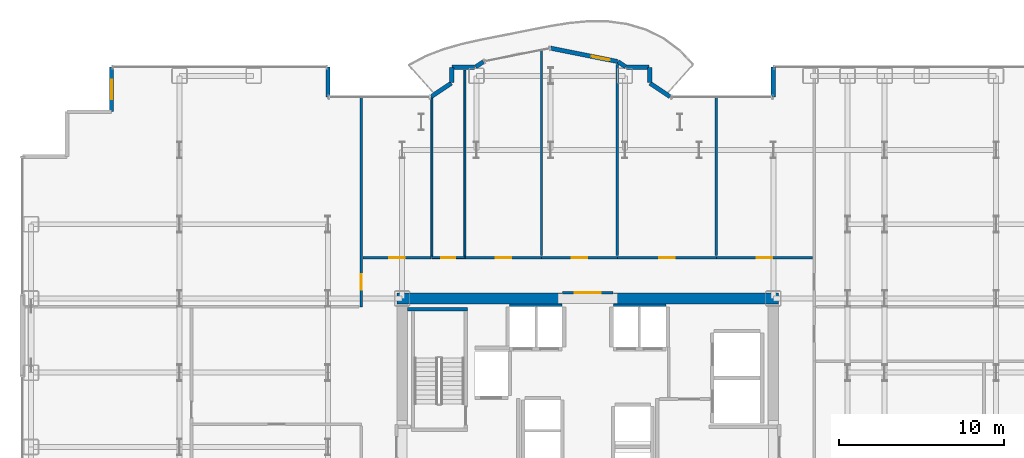
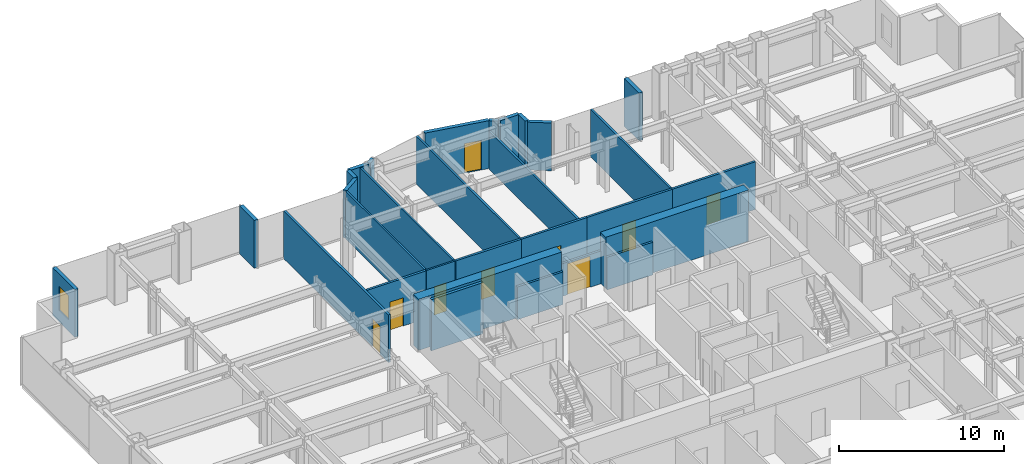
# One storey, part 26 of 29: 30 walls, 9 doors, 1 window, 10 openings.
"""IFC4 building model written with IfcOpenShell, lengths in metres."""

from ifc_helpers import new_model, si_unit, direction, frame, frame_2d, origin, place, context, subcontext, project, spatial, rectangle, extrude, source, transform, mapped, material, layer, layer_set, type_object, element, fill, save


model = new_model("IFC4")

# Units and contexts
model_context = context("Model", 3, precision=1e-05, world=origin(), true_north=direction((0.0, 1.0)))
body_context = subcontext(model_context, "Body", "Model", "MODEL_VIEW")
ifc_project = project(units=[si_unit("LENGTHUNIT", "METRE"), si_unit("AREAUNIT", "SQUARE_METRE"), si_unit("VOLUMEUNIT", "CUBIC_METRE"), si_unit("PLANEANGLEUNIT", "RADIAN"), si_unit("MASSUNIT", "GRAM", prefix="KILO")], contexts=[model_context])

# Site, building, storey
site_placement = place(None, origin())
site = spatial("IfcSite", under=ifc_project, at=site_placement, CompositionType="ELEMENT")
building_placement = place(site_placement, origin())
building = spatial("IfcBuilding", under=site, at=building_placement, Name="Nefas-Gora Pilgrimage Tower", CompositionType="ELEMENT")
storey_placement = place(building_placement, frame((0.0, 0.0, 55.800048828125)))
storey = spatial("IfcBuildingStorey", under=building, at=storey_placement, Name="L12", CompositionType="ELEMENT", Elevation=55.800048828125)

# Walls
ifc_material_1 = material(Name="Concrete C60/75", Category="concrete")
ifc_layer_1 = layer(ifc_material_1, 0.64990234375)
ifc_layer_set_1 = layer_set([ifc_layer_1], Name="Concrete C60/75")
wall_type_1 = type_object("IfcWallType", Name="SW-CORE-650", PredefinedType="SHEAR", material=ifc_layer_set_1)
shared_shape_1 = source(origin(), body_context, "Body", "SweptSolid", [
    extrude(rectangle(XDim=10.02490234375, YDim=0.64990234375, at=frame_2d((5.012451171875, 0.0))), origin(), (0.0, 0.0, 1.0), 3.800048828125),
])
for number, where, z_axis, x_axis, name in (
    (1, (-11.574951171875, 9.0, 0.0), (0.0, 0.0, 1.0), (1.0, 0.0, 0.0), "L12 Core Shear Wall N-West"),
    (2, (1.550048828125, 9.0, 0.0), (0.0, 0.0, 1.0), (1.0, 0.0, 0.0), "L12 Core Shear Wall N-East"),
):
    element("IfcWall", number, at=place(storey_placement, frame(where, z_axis=z_axis, x_axis=x_axis)), inside=storey, type_object=wall_type_1, Name=name, PredefinedType="SHEAR", context=body_context, shape_type="MappedRepresentation", body=[
        mapped(shared_shape_1, transform((0.0, 0.0, 0.0), x_axis=(1.0, 0.0, 0.0), y_axis=(0.0, 1.0, 0.0), z_axis=(0.0, 0.0, 1.0), scale=1.0)),
    ])
ifc_material_2 = material(Name="Precast concrete C40/50", Category="concrete")
ifc_layer_2 = layer(ifc_material_2, 0.260009765625)
ifc_layer_set_2 = layer_set([ifc_layer_2], Name="Precast concrete C40/50")
wall_type_2 = type_object("IfcWallType", Name="EW-PORTAL-260", PredefinedType="SOLIDWALL", material=ifc_layer_set_2)
shared_shape_2 = source(origin(), body_context, "Body", "SweptSolid", [
    extrude(rectangle(XDim=1.800048828125, YDim=0.260009765625, at=frame_2d((0.89990234375, 0.0))), origin(), (0.0, 0.0, 1.0), 3.550048828125),
])
for number, where, z_axis, x_axis, name in (
    (3, (11.25, 23.02001953125, 0.0), (0.0, 0.0, 1.0), (0.0, -1.0, 0.0), "L12 Lobe Shoulder Precast Spandrel Pier 14"),
    (4, (-15.75, 21.219970703125, 0.0), (0.0, 0.0, 1.0), (0.0, 1.0, 0.0), "L12 Lobe Shoulder Precast Spandrel Pier 24"),
):
    element("IfcWall", number, at=place(storey_placement, frame(where, z_axis=z_axis, x_axis=x_axis)), inside=storey, type_object=wall_type_2, Name=name, PredefinedType="SOLIDWALL", context=body_context, shape_type="MappedRepresentation", body=[
        mapped(shared_shape_2, transform((0.0, 0.0, 0.0), x_axis=(1.0, 0.0, 0.0), y_axis=(0.0, 1.0, 0.0), z_axis=(0.0, 0.0, 1.0), scale=1.0)),
    ])

# Wall, opening, window
ifc_material_3 = material(Name="Precast concrete C45/55", Category="concrete")
ifc_layer_3 = layer(ifc_material_3, 0.239990234375)
ifc_layer_set_3 = layer_set([ifc_layer_3], Name="Precast concrete C45/55")
wall_type_3 = type_object("IfcWallType", Name="EW-SERR-240", PredefinedType="SHEAR", material=ifc_layer_set_3)
shared_shape_3 = source(origin(), body_context, "Body", "SweptSolid", [
    extrude(rectangle(XDim=2.699951171875, YDim=0.239990234375, at=frame_2d((1.35009765625, 0.0))), origin(), (0.0, 0.0, 1.0), 3.550048828125),
])
wall_1_placement = place(storey_placement, frame((-28.8701171875, 23.02001953125, 0.0), z_axis=(0.0, 0.0, 1.0), x_axis=(0.0, -1.0, 0.0)))
wall_1 = element("IfcWall", 5, at=wall_1_placement, inside=storey, type_object=wall_type_3, Name="L12 Serrated Corner Shear Pier Wall 25", PredefinedType="SHEAR", context=body_context, shape_type="MappedRepresentation", body=[
    mapped(shared_shape_3, transform((0.0, 0.0, 0.0), x_axis=(1.0, 0.0, 0.0), y_axis=(0.0, 1.0, 0.0), z_axis=(0.0, 0.0, 1.0), scale=1.0)),
])
opening_1_placement = place(wall_1_placement, frame((0.75, 0.0, 0.85009765625)))
opening_1 = element("IfcOpeningElement", 6, at=opening_1_placement, cuts=wall_1, Name="Opening W-V1", PredefinedType="OPENING", context=body_context, shape_type="SweptSolid", body=[
    extrude(rectangle(XDim=1.199951171875, YDim=1.800048828125, at=frame_2d((0.60009765625, 0.89990234375))), frame((0.0, 0.1298828125, 0.0), z_axis=(0.0, -1.0, 0.0), x_axis=(1.0, 0.0, 0.0)), (0.0, 0.0, 1.0), 0.260009765625),
])
ifc_material_4 = material(Name="Dark ceramic-fritted operable aluminium-glass window", Category="aluminium")
window_type = type_object("IfcWindowType", Name="WIN-VENT-1200x1800", PartitioningType="SINGLE_PANEL", PredefinedType="WINDOW", material=ifc_material_4)
shared_shape_4 = source(origin(), body_context, "Body", "SweptSolid", [
    extrude(rectangle(XDim=1.199951171875, YDim=1.800048828125, at=frame_2d((0.60009765625, 0.89990234375))), frame((0.0, 0.030029296875, 0.0), z_axis=(0.0, -1.0, 0.0), x_axis=(1.0, 0.0, 0.0)), (0.0, 0.0, 1.0), 0.06005859375),
])
window_placement = place(opening_1_placement, origin())
window = element("IfcWindow", 7, at=window_placement, inside=storey, type_object=window_type, Name="L12 Operable Parallel-Outswing Window 25", OverallHeight=1.800048828125, OverallWidth=1.199951171875, PartitioningType="SINGLE_PANEL", PredefinedType="WINDOW", context=body_context, shape_type="MappedRepresentation", body=[
    mapped(shared_shape_4, transform((0.0, 0.0, 0.0), x_axis=(1.0, 0.0, 0.0), y_axis=(0.0, 1.0, 0.0), z_axis=(0.0, 0.0, 1.0), scale=1.0)),
])
fill(opening_1, window)

# Walls
shared_shape_5 = source(origin(), body_context, "Body", "SweptSolid", [
    extrude(rectangle(XDim=1.468994140625, YDim=0.260009765625, at=frame_2d((0.734375, 0.0))), origin(), (0.0, 0.0, 1.0), 3.550048828125),
])
for number, where, z_axis, x_axis, name in (
    (8, (4.99462890625, 21.235595703125, 0.0), (0.0, 0.0, 1.0), (-0.831461760506, 0.555581983884, 0.0), "L12 Lobe Shoulder Precast Spandrel Pier 15"),
    (9, (-8.273193359375, 22.0517578125, 0.0), (0.0, 0.0, 1.0), (-0.831461760506, -0.555581983884, 0.0), "L12 Lobe Shoulder Precast Spandrel Pier 23"),
):
    element("IfcWall", number, at=place(storey_placement, frame(where, z_axis=z_axis, x_axis=x_axis)), inside=storey, type_object=wall_type_2, Name=name, PredefinedType="SOLIDWALL", context=body_context, shape_type="MappedRepresentation", body=[
        mapped(shared_shape_5, transform((0.0, 0.0, 0.0), x_axis=(1.0, 0.0, 0.0), y_axis=(0.0, 1.0, 0.0), z_axis=(0.0, 0.0, 1.0), scale=1.0)),
    ])
shared_shape_6 = source(origin(), body_context, "Body", "SweptSolid", [
    extrude(rectangle(XDim=0.896728515625, YDim=0.260009765625, at=frame_2d((0.4482421875, 0.0))), origin(), (0.0, 0.0, 1.0), 3.550048828125),
])
for number, where, z_axis, x_axis, name in (
    (10, (3.75, 22.09521484375, 0.0), (0.0, 0.0, 1.0), (0.0, 1.0, 0.0), "L12 Lobe Shoulder Precast Spandrel Pier 16"),
    (11, (-8.25, 22.991943359375, 0.0), (0.0, 0.0, 1.0), (0.0, -1.0, 0.0), "L12 Lobe Shoulder Precast Spandrel Pier 22"),
):
    element("IfcWall", number, at=place(storey_placement, frame(where, z_axis=z_axis, x_axis=x_axis)), inside=storey, type_object=wall_type_2, Name=name, PredefinedType="SOLIDWALL", context=body_context, shape_type="MappedRepresentation", body=[
        mapped(shared_shape_6, transform((0.0, 0.0, 0.0), x_axis=(1.0, 0.0, 0.0), y_axis=(0.0, 1.0, 0.0), z_axis=(0.0, 0.0, 1.0), scale=1.0)),
    ])
shared_shape_7 = source(origin(), body_context, "Body", "SweptSolid", [
    extrude(rectangle(XDim=1.369873046875, YDim=0.260009765625, at=frame_2d((0.68505859375, 0.0))), origin(), (0.0, 0.0, 1.0), 3.550048828125),
])
for number, where, z_axis, x_axis, name in (
    (12, (3.721923828125, 23.02001953125, 0.0), (0.0, 0.0, 1.0), (-1.0, 0.0, 0.0), "L12 Lobe Shoulder Precast Spandrel Pier 17"),
    (13, (-6.85205078125, 23.02001953125, 0.0), (0.0, 0.0, 1.0), (-1.0, 0.0, 0.0), "L12 Lobe Shoulder Precast Spandrel Pier 21"),
):
    element("IfcWall", number, at=place(storey_placement, frame(where, z_axis=z_axis, x_axis=x_axis)), inside=storey, type_object=wall_type_2, Name=name, PredefinedType="SOLIDWALL", context=body_context, shape_type="MappedRepresentation", body=[
        mapped(shared_shape_7, transform((0.0, 0.0, 0.0), x_axis=(1.0, 0.0, 0.0), y_axis=(0.0, 1.0, 0.0), z_axis=(0.0, 0.0, 1.0), scale=1.0)),
    ])
shared_shape_8 = source(origin(), body_context, "Body", "SweptSolid", [
    extrude(rectangle(XDim=0.5654296875, YDim=0.260009765625, at=frame_2d((0.28271484375, 0.0))), origin(), (0.0, 0.0, 1.0), 3.550048828125),
])
for number, where, z_axis, x_axis, name in (
    (14, (2.30078125, 23.03564453125, 0.0), (0.0, 0.0, 1.0), (-0.831651492666, 0.555297933317, 0.0), "L12 Lobe Shoulder Precast Spandrel Pier 18"),
    (15, (-6.33056640625, 23.349609375, 0.0), (0.0, 0.0, 1.0), (-0.831651492666, -0.555297933317, 0.0), "L12 Lobe Shoulder Precast Spandrel Pier 20"),
):
    element("IfcWall", number, at=place(storey_placement, frame(where, z_axis=z_axis, x_axis=x_axis)), inside=storey, type_object=wall_type_2, Name=name, PredefinedType="SOLIDWALL", context=body_context, shape_type="MappedRepresentation", body=[
        mapped(shared_shape_8, transform((0.0, 0.0, 0.0), x_axis=(1.0, 0.0, 0.0), y_axis=(0.0, 1.0, 0.0), z_axis=(0.0, 0.0, 1.0), scale=1.0)),
    ])

# Wall, opening, door
shared_shape_9 = source(origin(), body_context, "Body", "SweptSolid", [
    extrude(rectangle(XDim=4.136962890625, YDim=0.260009765625, at=frame_2d((2.068359375, 0.0))), origin(), (0.0, 0.0, 1.0), 3.550048828125),
])
wall_2_placement = place(storey_placement, frame((1.807373046875, 23.365234375, 0.0), z_axis=(0.0, 0.0, 1.0), x_axis=(-0.980782170794, 0.195105954428, 0.0)))
wall_2 = element("IfcWall", 16, at=wall_2_placement, inside=storey, type_object=wall_type_2, Name="L12 Insulated Terrace Portal Wall 19", PredefinedType="SOLIDWALL", context=body_context, shape_type="MappedRepresentation", body=[
    mapped(shared_shape_9, transform((0.0, 0.0, 0.0), x_axis=(1.0, 0.0, 0.0), y_axis=(0.0, 1.0, 0.0), z_axis=(0.0, 0.0, 1.0), scale=1.0)),
])
opening_2_placement = place(wall_2_placement, frame((0.48779296875, 0.0, 0.0)))
opening_2 = element("IfcOpeningElement", 17, at=opening_2_placement, cuts=wall_2, Name="Opening ED-B1", PredefinedType="OPENING", context=body_context, shape_type="SweptSolid", body=[
    extrude(rectangle(XDim=1.10009765625, YDim=2.199951171875, at=frame_2d((0.550048828125, 1.10009765625))), frame((0.0, 0.139892578125, 0.0), z_axis=(0.0, -1.0, 0.0), x_axis=(1.0, 0.0, 0.0)), (0.0, 0.0, 1.0), 0.280029296875),
])
ifc_material_5 = material(Name="Thermally broken glazed aluminium balcony door", Category="aluminium")
door_type_1 = type_object("IfcDoorType", Name="DR-EXT-BAL-1100", OperationType="NOTDEFINED", PredefinedType="DOOR", material=ifc_material_5)
shared_shape_10 = source(origin(), body_context, "Body", "SweptSolid", [
    extrude(rectangle(XDim=1.10009765625, YDim=2.199951171875, at=frame_2d((0.550048828125, 1.10009765625))), frame((0.0, 0.02490234375, 0.0), z_axis=(0.0, -1.0, 0.0), x_axis=(1.0, 0.0, 0.0)), (0.0, 0.0, 1.0), 0.050048828125),
])
door_1_placement = place(opening_2_placement, origin())
door_1 = element("IfcDoor", 18, at=door_1_placement, inside=storey, type_object=door_type_1, Name="L12 Exterior Door (L12 N Lobe Wave Balcony)", OperationType="SINGLE_SWING_RIGHT", OverallHeight=2.199951171875, OverallWidth=1.10009765625, PredefinedType="DOOR", context=body_context, shape_type="MappedRepresentation", body=[
    mapped(shared_shape_10, transform((0.0, 0.0, 0.0), x_axis=(1.0, 0.0, 0.0), y_axis=(0.0, 1.0, 0.0), z_axis=(0.0, 0.0, 1.0), scale=1.0)),
])
fill(opening_2, door_1)

# Walls
ifc_material_6 = material(Name="Concrete C45/55", Category="concrete")
ifc_layer_4 = layer(ifc_material_6, 0.199951171875)
ifc_layer_set_4 = layer_set([ifc_layer_4], Name="Concrete C45/55")
wall_type_4 = type_object("IfcWallType", Name="IW-STAIR-200", PredefinedType="SOLIDWALL", material=ifc_layer_set_4)
shared_shape_11 = source(origin(), body_context, "Body", "SweptSolid", [
    extrude(rectangle(XDim=3.6298828125, YDim=0.199951171875, at=frame_2d((1.81494140625, 0.0))), origin(), (0.0, 0.0, 1.0), 3.800048828125),
])
wall_3_placement = place(storey_placement, frame((-7.300048828125, 8.35009765625, 0.0), z_axis=(0.0, 0.0, 1.0), x_axis=(-1.0, 0.0, 0.0)))
element("IfcWall", 19, at=wall_3_placement, inside=storey, type_object=wall_type_4, Name="L12 Stairwell Shear Wall ST-01-far", PredefinedType="SOLIDWALL", context=body_context, shape_type="MappedRepresentation", body=[
    mapped(shared_shape_11, transform((0.0, 0.0, 0.0), x_axis=(1.0, 0.0, 0.0), y_axis=(0.0, 1.0, 0.0), z_axis=(0.0, 0.0, 1.0), scale=1.0)),
])
ifc_material_7 = material(Name="Gypsum acoustic stud partition")
ifc_layer_5 = layer(ifc_material_7, 0.159912109375)
ifc_layer_set_5 = layer_set([ifc_layer_5], Name="Gypsum acoustic stud partition")
wall_type_5 = type_object("IfcWallType", Name="IW-CORR-160", PredefinedType="PARTITIONING", material=ifc_layer_set_5)
shared_shape_12 = source(origin(), body_context, "Body", "SweptSolid", [
    extrude(rectangle(XDim=3.199951171875, YDim=0.159912109375, at=frame_2d((1.60009765625, 0.0))), origin(), (0.0, 0.0, 1.0), 2.425048828125),
])
for number, where, z_axis, x_axis, name in (
    (20, (-1.550048828125, 8.580078125, 0.0), (0.0, 0.0, 1.0), (-1.0, 0.0, 0.0), "L12 Hoistway Wall PL1-W-N"),
    (21, (4.75, 8.580078125, 0.0), (0.0, 0.0, 1.0), (-1.0, 0.0, 0.0), "L12 Hoistway Wall PL1-E-N"),
):
    element("IfcWall", number, at=place(storey_placement, frame(where, z_axis=z_axis, x_axis=x_axis)), inside=storey, type_object=wall_type_5, Name=name, PredefinedType="PARTITIONING", context=body_context, shape_type="MappedRepresentation", body=[
        mapped(shared_shape_12, transform((0.0, 0.0, 0.0), x_axis=(1.0, 0.0, 0.0), y_axis=(0.0, 1.0, 0.0), z_axis=(0.0, 0.0, 1.0), scale=1.0)),
    ])

# Wall, opening, door
shared_shape_13 = source(origin(), body_context, "Body", "SweptSolid", [
    extrude(rectangle(XDim=3.08984375, YDim=0.159912109375, at=frame_2d((1.544921875, 0.0))), origin(), (0.0, 0.0, 1.0), 2.425048828125),
])
wall_4_placement = place(storey_placement, frame((-1.544921875, 9.35009765625, 0.0), z_axis=(0.0, 0.0, 1.0), x_axis=(1.0, 0.0, 0.0)))
wall_4 = element("IfcWall", 22, at=wall_4_placement, inside=storey, type_object=wall_type_5, Name="L12 Central Lift Lobby North Portal Wall 13", PredefinedType="PARTITIONING", context=body_context, shape_type="MappedRepresentation", body=[
    mapped(shared_shape_13, transform((0.0, 0.0, 0.0), x_axis=(1.0, 0.0, 0.0), y_axis=(0.0, 1.0, 0.0), z_axis=(0.0, 0.0, 1.0), scale=1.0)),
])
opening_3_placement = place(wall_4_placement, frame((0.7451171875, 0.0, 0.0)))
opening_3 = element("IfcOpeningElement", 23, at=opening_3_placement, cuts=wall_4, Name="Opening ID-HL1", PredefinedType="OPENING", context=body_context, shape_type="SweptSolid", body=[
    extrude(rectangle(XDim=1.60009765625, YDim=2.300048828125, at=frame_2d((0.800048828125, 1.14990234375))), frame((0.0, 0.08984375, 0.0), z_axis=(0.0, -1.0, 0.0), x_axis=(1.0, 0.0, 0.0)), (0.0, 0.0, 1.0), 0.179931640625),
])
ifc_material_8 = material(Name="Double acoustic timber assembly hall door", Category="wood")
door_type_2 = type_object("IfcDoorType", Name="DR-INT-HALL-1600", OperationType="DOUBLE_DOOR_SINGLE_SWING", PredefinedType="DOOR", material=ifc_material_8)
shared_shape_14 = source(origin(), body_context, "Body", "SweptSolid", [
    extrude(rectangle(XDim=1.60009765625, YDim=2.300048828125, at=frame_2d((0.800048828125, 1.14990234375))), frame((0.0, 0.02490234375, 0.0), z_axis=(0.0, -1.0, 0.0), x_axis=(1.0, 0.0, 0.0)), (0.0, 0.0, 1.0), 0.050048828125),
])
door_2_placement = place(opening_3_placement, origin())
door_2 = element("IfcDoor", 24, at=door_2_placement, inside=storey, type_object=door_type_2, Name="L12 Central Lift Lobby North Portal Door 4", OperationType="DOUBLE_DOOR_SINGLE_SWING", OverallHeight=2.300048828125, OverallWidth=1.60009765625, PredefinedType="DOOR", context=body_context, shape_type="MappedRepresentation", body=[
    mapped(shared_shape_14, transform((0.0, 0.0, 0.0), x_axis=(1.0, 0.0, 0.0), y_axis=(0.0, 1.0, 0.0), z_axis=(0.0, 0.0, 1.0), scale=1.0)),
])
fill(opening_3, door_2)

ifc_material_9 = material(Name="Moisture-resistant fire-rated gypsum partition")
ifc_layer_6 = layer(ifc_material_9, 0.1201171875)
ifc_layer_set_6 = layer_set([ifc_layer_6], Name="Moisture-resistant fire-rated gypsum partition")
wall_type_6 = type_object("IfcWallType", Name="IW-WET-120", PredefinedType="PLUMBINGWALL", material=ifc_layer_set_6)
shared_shape_15 = source(origin(), body_context, "Body", "SweptSolid", [
    extrude(rectangle(XDim=2.02001953125, YDim=0.1201171875, at=frame_2d((1.010009765625, 0.0))), origin(), (0.0, 0.0, 1.0), 3.534912109375),
])
wall_5_placement = place(storey_placement, frame((-9.4599609375, 11.469970703125, 0.0), z_axis=(0.0, 0.0, 1.0), x_axis=(1.0, 0.0, 0.0)))
wall_5 = element("IfcWall", 25, at=wall_5_placement, inside=storey, type_object=wall_type_6, Name="L12 Accessible Unisex WC Partition Wall 25", PredefinedType="PLUMBINGWALL", context=body_context, shape_type="MappedRepresentation", body=[
    mapped(shared_shape_15, transform((0.0, 0.0, 0.0), x_axis=(1.0, 0.0, 0.0), y_axis=(0.0, 1.0, 0.0), z_axis=(0.0, 0.0, 1.0), scale=1.0)),
])
opening_4_placement = place(wall_5_placement, frame((0.5849609375, 0.0, 0.0)))
opening_4 = element("IfcOpeningElement", 26, at=opening_4_placement, cuts=wall_5, Name="Opening ID-BT1", PredefinedType="OPENING", context=body_context, shape_type="SweptSolid", body=[
    extrude(rectangle(XDim=0.85009765625, YDim=2.10009765625, at=frame_2d((0.425048828125, 1.050048828125))), frame((0.0, 0.070068359375, 0.0), z_axis=(0.0, -1.0, 0.0), x_axis=(1.0, 0.0, 0.0)), (0.0, 0.0, 1.0), 0.14013671875),
])
ifc_material_10 = material(Name="Moisture-resistant fire-rated timber door", Category="wood")
door_type_3 = type_object("IfcDoorType", Name="DR-INT-BATH-850", OperationType="NOTDEFINED", PredefinedType="DOOR", material=ifc_material_10)
shared_shape_16 = source(origin(), body_context, "Body", "SweptSolid", [
    extrude(rectangle(XDim=0.85009765625, YDim=2.10009765625, at=frame_2d((0.425048828125, 1.050048828125))), frame((0.0, 0.02490234375, 0.0), z_axis=(0.0, -1.0, 0.0), x_axis=(1.0, 0.0, 0.0)), (0.0, 0.0, 1.0), 0.050048828125),
])
door_3_placement = place(opening_4_placement, origin())
door_3 = element("IfcDoor", 27, at=door_3_placement, inside=storey, type_object=door_type_3, Name="L12 Accessible Unisex WC Door 10", OperationType="SINGLE_SWING_LEFT", OverallHeight=2.10009765625, OverallWidth=0.85009765625, PredefinedType="DOOR", context=body_context, shape_type="MappedRepresentation", body=[
    mapped(shared_shape_16, transform((0.0, 0.0, 0.0), x_axis=(1.0, 0.0, 0.0), y_axis=(0.0, 1.0, 0.0), z_axis=(0.0, 0.0, 1.0), scale=1.0)),
])
fill(opening_4, door_3)

# Walls
shared_shape_17 = source(origin(), body_context, "Body", "SweptSolid", [
    extrude(rectangle(XDim=11.280029296875, YDim=0.1201171875, at=frame_2d((5.64013671875, 0.0))), origin(), (0.0, 0.0, 1.0), 3.534912109375),
])
wall_6_placement = place(storey_placement, frame((-7.449951171875, 11.570068359375, 0.0), z_axis=(0.0, 0.0, 1.0), x_axis=(0.0, 1.0, 0.0)))
element("IfcWall", 28, at=wall_6_placement, inside=storey, type_object=wall_type_6, Name="L12 Accessible Unisex WC Partition Wall 26", PredefinedType="PLUMBINGWALL", context=body_context, shape_type="MappedRepresentation", body=[
    mapped(shared_shape_17, transform((0.0, 0.0, 0.0), x_axis=(1.0, 0.0, 0.0), y_axis=(0.0, 1.0, 0.0), z_axis=(0.0, 0.0, 1.0), scale=1.0)),
])
shared_shape_18 = source(origin(), body_context, "Body", "SweptSolid", [
    extrude(rectangle(XDim=9.586669921875, YDim=0.1201171875, at=frame_2d((4.79345703125, 0.0))), origin(), (0.0, 0.0, 1.0), 3.534912109375),
])
wall_7_placement = place(storey_placement, frame((-9.449951171875, 11.570068359375, 0.0), z_axis=(0.0, 0.0, 1.0), x_axis=(0.0, 1.0, 0.0)))
element("IfcWall", 29, at=wall_7_placement, inside=storey, type_object=wall_type_6, Name="L12 Accessible Unisex WC Partition Wall 27", PredefinedType="PLUMBINGWALL", context=body_context, shape_type="MappedRepresentation", body=[
    mapped(shared_shape_18, transform((0.0, 0.0, 0.0), x_axis=(1.0, 0.0, 0.0), y_axis=(0.0, 1.0, 0.0), z_axis=(0.0, 0.0, 1.0), scale=1.0)),
])

# Wall, opening, door
shared_shape_19 = source(origin(), body_context, "Body", "SweptSolid", [
    extrude(rectangle(XDim=4.125, YDim=0.159912109375, at=frame_2d((2.0625, 0.0))), origin(), (0.0, 0.0, 1.0), 3.534912109375),
])
wall_8_placement = place(storey_placement, frame((-13.6201171875, 11.469970703125, 0.0), z_axis=(0.0, 0.0, 1.0), x_axis=(1.0, 0.0, 0.0)))
wall_8 = element("IfcWall", 30, at=wall_8_placement, inside=storey, type_object=wall_type_5, Name="L12 Pilgrim Contemplative Lounge Partition Wall 46", PredefinedType="PARTITIONING", context=body_context, shape_type="MappedRepresentation", body=[
    mapped(shared_shape_19, transform((0.0, 0.0, 0.0), x_axis=(1.0, 0.0, 0.0), y_axis=(0.0, 1.0, 0.0), z_axis=(0.0, 0.0, 1.0), scale=1.0)),
])
opening_5_placement = place(wall_8_placement, frame((1.58740234375, 0.0, 0.0)))
opening_5 = element("IfcOpeningElement", 31, at=opening_5_placement, cuts=wall_8, Name="Opening ID-GR1", PredefinedType="OPENING", context=body_context, shape_type="SweptSolid", body=[
    extrude(rectangle(XDim=0.949951171875, YDim=2.10009765625, at=frame_2d((0.47509765625, 1.050048828125))), frame((0.0, 0.08984375, 0.0), z_axis=(0.0, -1.0, 0.0), x_axis=(1.0, 0.0, 0.0)), (0.0, 0.0, 1.0), 0.179931640625),
])
ifc_material_11 = material(Name="Solid core oak fire-rated guest entrance door")
door_type_4 = type_object("IfcDoorType", Name="DR-INT-GUEST-950", OperationType="NOTDEFINED", PredefinedType="DOOR", material=ifc_material_11)
shared_shape_20 = source(origin(), body_context, "Body", "SweptSolid", [
    extrude(rectangle(XDim=0.949951171875, YDim=2.10009765625, at=frame_2d((0.47509765625, 1.050048828125))), frame((0.0, 0.02490234375, 0.0), z_axis=(0.0, -1.0, 0.0), x_axis=(1.0, 0.0, 0.0)), (0.0, 0.0, 1.0), 0.050048828125),
])
door_4_placement = place(opening_5_placement, origin())
door_4 = element("IfcDoor", 32, at=door_4_placement, inside=storey, type_object=door_type_4, Name="L12 Pilgrim Contemplative Lounge Door 21", OperationType="SINGLE_SWING_RIGHT", OverallHeight=2.10009765625, OverallWidth=0.949951171875, PredefinedType="DOOR", context=body_context, shape_type="MappedRepresentation", body=[
    mapped(shared_shape_20, transform((0.0, 0.0, 0.0), x_axis=(1.0, 0.0, 0.0), y_axis=(0.0, 1.0, 0.0), z_axis=(0.0, 0.0, 1.0), scale=1.0)),
])
fill(opening_5, door_4)

# Wall
ifc_material_12 = material(Name="Gypsum twin-stud partition")
ifc_layer_7 = layer(ifc_material_12, 0.139892578125)
ifc_layer_set_7 = layer_set([ifc_layer_7], Name="Gypsum twin-stud partition")
wall_type_7 = type_object("IfcWallType", Name="IW-UNIT-140", PredefinedType="PARTITIONING", material=ifc_layer_set_7)
shared_shape_21 = source(origin(), body_context, "Body", "SweptSolid", [
    extrude(rectangle(XDim=9.64990234375, YDim=0.139892578125, at=frame_2d((4.824951171875, 0.0))), origin(), (0.0, 0.0, 1.0), 3.534912109375),
])
wall_9_placement = place(storey_placement, frame((7.794921875, 11.590087890625, 0.0), z_axis=(0.0, 0.0, 1.0), x_axis=(0.0, 1.0, 0.0)))
element("IfcWall", 33, at=wall_9_placement, inside=storey, type_object=wall_type_7, Name="L12 Pilgrim Contemplative Lounge Partition Wall 52", PredefinedType="PARTITIONING", context=body_context, shape_type="MappedRepresentation", body=[
    mapped(shared_shape_21, transform((0.0, 0.0, 0.0), x_axis=(1.0, 0.0, 0.0), y_axis=(0.0, 1.0, 0.0), z_axis=(0.0, 0.0, 1.0), scale=1.0)),
])

# Wall, opening, door
shared_shape_22 = source(origin(), body_context, "Body", "SweptSolid", [
    extrude(rectangle(XDim=12.75244140625, YDim=0.159912109375, at=frame_2d((6.376220703125, 0.0))), origin(), (0.0, 0.0, 1.0), 3.534912109375),
])
wall_10_placement = place(storey_placement, frame((-13.739990234375, 8.487548828125, 0.0), z_axis=(0.0, 0.0, 1.0), x_axis=(0.0, 1.0, 0.0)))
wall_10 = element("IfcWall", 34, at=wall_10_placement, inside=storey, type_object=wall_type_5, Name="L12 Pilgrim Tea and Beverage Pantry Partition Wall 30", PredefinedType="PARTITIONING", context=body_context, shape_type="MappedRepresentation", body=[
    mapped(shared_shape_22, transform((0.0, 0.0, 0.0), x_axis=(1.0, 0.0, 0.0), y_axis=(0.0, 1.0, 0.0), z_axis=(0.0, 0.0, 1.0), scale=1.0)),
])
opening_6_placement = place(wall_10_placement, frame((1.0361328125, 0.0, 0.0)))
opening_6 = element("IfcOpeningElement", 35, at=opening_6_placement, cuts=wall_10, Name="Opening ID-GR1", PredefinedType="OPENING", context=body_context, shape_type="SweptSolid", body=[
    extrude(rectangle(XDim=0.949951171875, YDim=2.10009765625, at=frame_2d((0.47509765625, 1.050048828125))), frame((0.0, 0.08984375, 0.0), z_axis=(0.0, -1.0, 0.0), x_axis=(1.0, 0.0, 0.0)), (0.0, 0.0, 1.0), 0.179931640625),
])
door_5_placement = place(opening_6_placement, origin())
door_5 = element("IfcDoor", 36, at=door_5_placement, inside=storey, type_object=door_type_4, Name="L12 Pilgrim Tea and Beverage Pantry Door 12", OperationType="SINGLE_SWING_LEFT", OverallHeight=2.10009765625, OverallWidth=0.949951171875, PredefinedType="DOOR", context=body_context, shape_type="MappedRepresentation", body=[
    mapped(shared_shape_20, transform((0.0, 0.0, 0.0), x_axis=(1.0, 0.0, 0.0), y_axis=(0.0, 1.0, 0.0), z_axis=(0.0, 0.0, 1.0), scale=1.0)),
])
fill(opening_6, door_5)

shared_shape_23 = source(origin(), body_context, "Body", "SweptSolid", [
    extrude(rectangle(XDim=4.60498046875, YDim=0.159912109375, at=frame_2d((2.302490234375, 0.0))), origin(), (0.0, 0.0, 1.0), 3.534912109375),
])
wall_11_placement = place(storey_placement, frame((-7.405029296875, 11.469970703125, 0.0), z_axis=(0.0, 0.0, 1.0), x_axis=(1.0, 0.0, 0.0)))
wall_11 = element("IfcWall", 37, at=wall_11_placement, inside=storey, type_object=wall_type_5, Name="L12 Pilgrim Contemplative Lounge Partition Wall 47", PredefinedType="PARTITIONING", context=body_context, shape_type="MappedRepresentation", body=[
    mapped(shared_shape_23, transform((0.0, 0.0, 0.0), x_axis=(1.0, 0.0, 0.0), y_axis=(0.0, 1.0, 0.0), z_axis=(0.0, 0.0, 1.0), scale=1.0)),
])
opening_7_placement = place(wall_11_placement, frame((1.827392578125, 0.0, 0.0)))
opening_7 = element("IfcOpeningElement", 38, at=opening_7_placement, cuts=wall_11, Name="Opening ID-GR1", PredefinedType="OPENING", context=body_context, shape_type="SweptSolid", body=[
    extrude(rectangle(XDim=0.949951171875, YDim=2.10009765625, at=frame_2d((0.47509765625, 1.050048828125))), frame((0.0, 0.08984375, 0.0), z_axis=(0.0, -1.0, 0.0), x_axis=(1.0, 0.0, 0.0)), (0.0, 0.0, 1.0), 0.179931640625),
])
door_6_placement = place(opening_7_placement, origin())
door_6 = element("IfcDoor", 39, at=door_6_placement, inside=storey, type_object=door_type_4, Name="L12 Pilgrim Contemplative Lounge Door 22", OperationType="SINGLE_SWING_LEFT", OverallHeight=2.10009765625, OverallWidth=0.949951171875, PredefinedType="DOOR", context=body_context, shape_type="MappedRepresentation", body=[
    mapped(shared_shape_20, transform((0.0, 0.0, 0.0), x_axis=(1.0, 0.0, 0.0), y_axis=(0.0, 1.0, 0.0), z_axis=(0.0, 0.0, 1.0), scale=1.0)),
])
fill(opening_7, door_6)

wall_12_placement = place(storey_placement, frame((-2.800048828125, 11.469970703125, 0.0), z_axis=(0.0, 0.0, 1.0), x_axis=(1.0, 0.0, 0.0)))
wall_12 = element("IfcWall", 40, at=wall_12_placement, inside=storey, type_object=wall_type_5, Name="L12 Pilgrim Contemplative Lounge Partition Wall 49", PredefinedType="PARTITIONING", context=body_context, shape_type="MappedRepresentation", body=[
    mapped(shared_shape_23, transform((0.0, 0.0, 0.0), x_axis=(1.0, 0.0, 0.0), y_axis=(0.0, 1.0, 0.0), z_axis=(0.0, 0.0, 1.0), scale=1.0)),
])
opening_8_placement = place(wall_12_placement, frame((1.827392578125, 0.0, 0.0)))
opening_8 = element("IfcOpeningElement", 41, at=opening_8_placement, cuts=wall_12, Name="Opening ID-GR1", PredefinedType="OPENING", context=body_context, shape_type="SweptSolid", body=[
    extrude(rectangle(XDim=0.949951171875, YDim=2.10009765625, at=frame_2d((0.47509765625, 1.050048828125))), frame((0.0, 0.08984375, 0.0), z_axis=(0.0, -1.0, 0.0), x_axis=(1.0, 0.0, 0.0)), (0.0, 0.0, 1.0), 0.179931640625),
])
door_7_placement = place(opening_8_placement, origin())
door_7 = element("IfcDoor", 42, at=door_7_placement, inside=storey, type_object=door_type_4, Name="L12 Pilgrim Contemplative Lounge Door 23", OperationType="SINGLE_SWING_RIGHT", OverallHeight=2.10009765625, OverallWidth=0.949951171875, PredefinedType="DOOR", context=body_context, shape_type="MappedRepresentation", body=[
    mapped(shared_shape_20, transform((0.0, 0.0, 0.0), x_axis=(1.0, 0.0, 0.0), y_axis=(0.0, 1.0, 0.0), z_axis=(0.0, 0.0, 1.0), scale=1.0)),
])
fill(opening_8, door_7)

# Walls
shared_shape_24 = source(origin(), body_context, "Body", "SweptSolid", [
    extrude(rectangle(XDim=12.4951171875, YDim=0.139892578125, at=frame_2d((6.24755859375, 0.0))), origin(), (0.0, 0.0, 1.0), 3.534912109375),
])
wall_13_placement = place(storey_placement, frame((-2.81005859375, 11.590087890625, 0.0), z_axis=(0.0, 0.0, 1.0), x_axis=(0.0, 1.0, 0.0)))
element("IfcWall", 43, at=wall_13_placement, inside=storey, type_object=wall_type_7, Name="L12 Pilgrim Contemplative Lounge Partition Wall 48", PredefinedType="PARTITIONING", context=body_context, shape_type="MappedRepresentation", body=[
    mapped(shared_shape_24, transform((0.0, 0.0, 0.0), x_axis=(1.0, 0.0, 0.0), y_axis=(0.0, 1.0, 0.0), z_axis=(0.0, 0.0, 1.0), scale=1.0)),
])
shared_shape_25 = source(origin(), body_context, "Body", "SweptSolid", [
    extrude(rectangle(XDim=11.581298828125, YDim=0.139892578125, at=frame_2d((5.79052734375, 0.0))), origin(), (0.0, 0.0, 1.0), 2.824951171875),
])
wall_14_placement = place(storey_placement, frame((1.794921875, 11.590087890625, 0.0), z_axis=(0.0, 0.0, 1.0), x_axis=(0.0, 1.0, 0.0)))
element("IfcWall", 44, at=wall_14_placement, inside=storey, type_object=wall_type_7, Name="L12 Pilgrim Contemplative Lounge Partition Wall 50", PredefinedType="PARTITIONING", context=body_context, shape_type="MappedRepresentation", body=[
    mapped(shared_shape_25, transform((0.0, 0.0, 0.0), x_axis=(1.0, 0.0, 0.0), y_axis=(0.0, 1.0, 0.0), z_axis=(0.0, 0.0, 1.0), scale=1.0)),
])

# Wall, opening, door
shared_shape_26 = source(origin(), body_context, "Body", "SweptSolid", [
    extrude(rectangle(XDim=6.010009765625, YDim=0.159912109375, at=frame_2d((3.0048828125, 0.0))), origin(), (0.0, 0.0, 1.0), 3.534912109375),
])
wall_15_placement = place(storey_placement, frame((1.794921875, 11.469970703125, 0.0), z_axis=(0.0, 0.0, 1.0), x_axis=(1.0, 0.0, 0.0)))
wall_15 = element("IfcWall", 45, at=wall_15_placement, inside=storey, type_object=wall_type_5, Name="L12 Pilgrim Contemplative Lounge Partition Wall 51", PredefinedType="PARTITIONING", context=body_context, shape_type="MappedRepresentation", body=[
    mapped(shared_shape_26, transform((0.0, 0.0, 0.0), x_axis=(1.0, 0.0, 0.0), y_axis=(0.0, 1.0, 0.0), z_axis=(0.0, 0.0, 1.0), scale=1.0)),
])
opening_9_placement = place(wall_15_placement, frame((2.530029296875, 0.0, 0.0)))
opening_9 = element("IfcOpeningElement", 46, at=opening_9_placement, cuts=wall_15, Name="Opening ID-GR1", PredefinedType="OPENING", context=body_context, shape_type="SweptSolid", body=[
    extrude(rectangle(XDim=0.949951171875, YDim=2.10009765625, at=frame_2d((0.47509765625, 1.050048828125))), frame((0.0, 0.08984375, 0.0), z_axis=(0.0, -1.0, 0.0), x_axis=(1.0, 0.0, 0.0)), (0.0, 0.0, 1.0), 0.179931640625),
])
door_8_placement = place(opening_9_placement, origin())
door_8 = element("IfcDoor", 47, at=door_8_placement, inside=storey, type_object=door_type_4, Name="L12 Pilgrim Contemplative Lounge Door 24", OperationType="SINGLE_SWING_LEFT", OverallHeight=2.10009765625, OverallWidth=0.949951171875, PredefinedType="DOOR", context=body_context, shape_type="MappedRepresentation", body=[
    mapped(shared_shape_20, transform((0.0, 0.0, 0.0), x_axis=(1.0, 0.0, 0.0), y_axis=(0.0, 1.0, 0.0), z_axis=(0.0, 0.0, 1.0), scale=1.0)),
])
fill(opening_9, door_8)

shared_shape_27 = source(origin(), body_context, "Body", "SweptSolid", [
    extrude(rectangle(XDim=5.8251953125, YDim=0.159912109375, at=frame_2d((2.91259765625, 0.0))), origin(), (0.0, 0.0, 1.0), 3.534912109375),
])
wall_16_placement = place(storey_placement, frame((7.794921875, 11.469970703125, 0.0), z_axis=(0.0, 0.0, 1.0), x_axis=(1.0, 0.0, 0.0)))
wall_16 = element("IfcWall", 48, at=wall_16_placement, inside=storey, type_object=wall_type_5, Name="L12 Pilgrim Contemplative Lounge Partition Wall 53", PredefinedType="PARTITIONING", context=body_context, shape_type="MappedRepresentation", body=[
    mapped(shared_shape_27, transform((0.0, 0.0, 0.0), x_axis=(1.0, 0.0, 0.0), y_axis=(0.0, 1.0, 0.0), z_axis=(0.0, 0.0, 1.0), scale=1.0)),
])
opening_10_placement = place(wall_16_placement, frame((2.4375, 0.0, 0.0)))
opening_10 = element("IfcOpeningElement", 49, at=opening_10_placement, cuts=wall_16, Name="Opening ID-GR1", PredefinedType="OPENING", context=body_context, shape_type="SweptSolid", body=[
    extrude(rectangle(XDim=0.949951171875, YDim=2.10009765625, at=frame_2d((0.47509765625, 1.050048828125))), frame((0.0, 0.08984375, 0.0), z_axis=(0.0, -1.0, 0.0), x_axis=(1.0, 0.0, 0.0)), (0.0, 0.0, 1.0), 0.179931640625),
])
door_9_placement = place(opening_10_placement, origin())
door_9 = element("IfcDoor", 50, at=door_9_placement, inside=storey, type_object=door_type_4, Name="L12 Pilgrim Contemplative Lounge Door 25", OperationType="SINGLE_SWING_RIGHT", OverallHeight=2.10009765625, OverallWidth=0.949951171875, PredefinedType="DOOR", context=body_context, shape_type="MappedRepresentation", body=[
    mapped(shared_shape_20, transform((0.0, 0.0, 0.0), x_axis=(1.0, 0.0, 0.0), y_axis=(0.0, 1.0, 0.0), z_axis=(0.0, 0.0, 1.0), scale=1.0)),
])
fill(opening_10, door_9)

save(model, "model.ifc")
